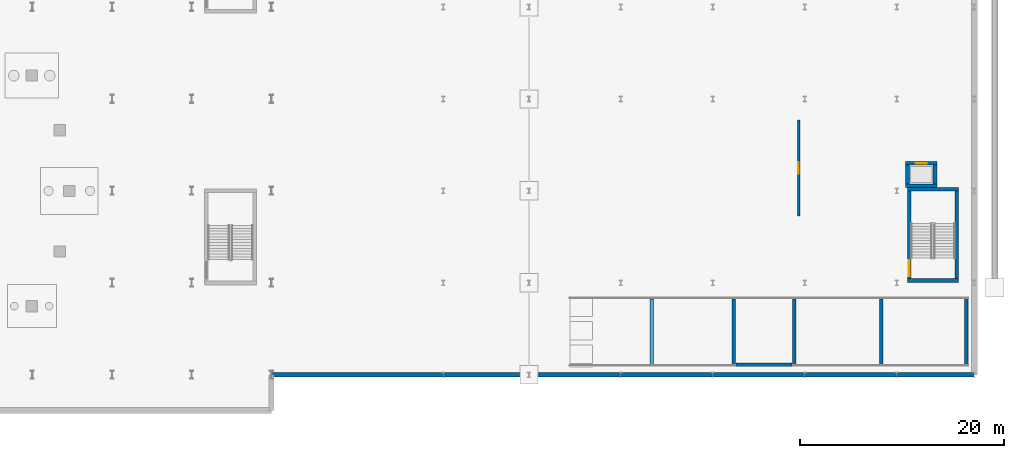
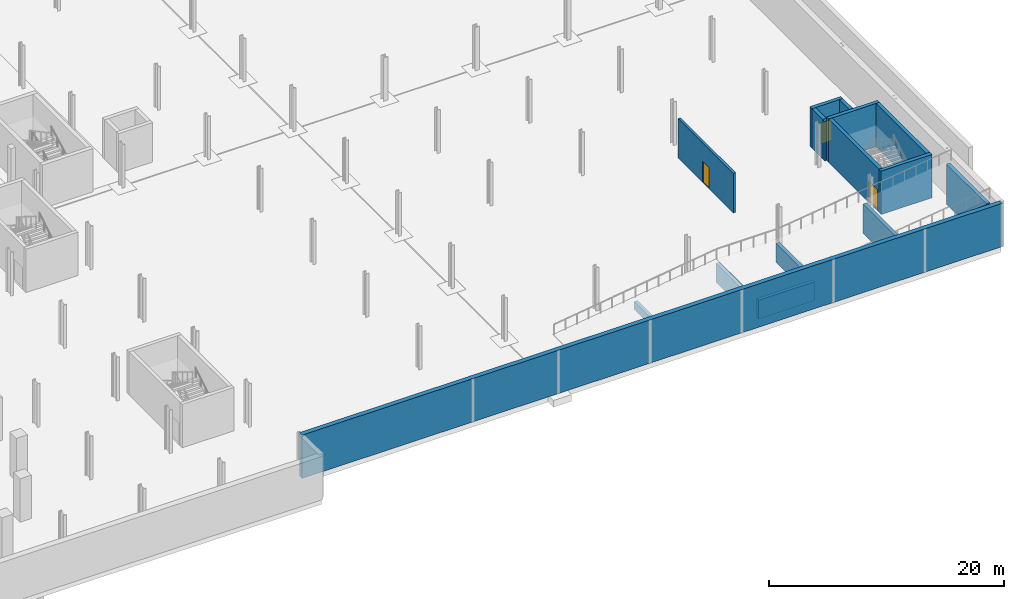
# One storey, part 31 of 45: 16 walls, 3 doors, 3 openings.
"""IFC4 building model written with IfcOpenShell, lengths in metres."""

from ifc_helpers import new_model, si_unit, direction, frame, frame_2d, origin, place, context, subcontext, project, spatial, rectangle, extrude, material, layer, layer_set, type_object, element, fill, save


model = new_model("IFC4")

# Units and contexts
model_context = context("Model", 3, precision=1e-05, world=origin(), true_north=direction((0.0, 1.0)))
body_context = subcontext(model_context, "Body", "Model", "MODEL_VIEW")
ifc_project = project(units=[si_unit("LENGTHUNIT", "METRE"), si_unit("AREAUNIT", "SQUARE_METRE"), si_unit("VOLUMEUNIT", "CUBIC_METRE"), si_unit("PLANEANGLEUNIT", "RADIAN"), si_unit("MASSUNIT", "GRAM", prefix="KILO")], contexts=[model_context])

# Site, building, storey
site_placement = place(None, origin())
site = spatial("IfcSite", under=ifc_project, at=site_placement, CompositionType="ELEMENT")
building_placement = place(site_placement, origin())
building = spatial("IfcBuilding", under=site, at=building_placement, Name="Sefraquen Railside Congress Hotel", CompositionType="ELEMENT")
storey_placement = place(building_placement, frame((0.0, 0.0, -4.5)))
storey = spatial("IfcBuildingStorey", under=building, at=storey_placement, Name="B01", CompositionType="ELEMENT", Elevation=-4.5)

# Walls
ifc_material_1 = material(Name="Concrete C50/60", Category="concrete")
ifc_layer_1 = layer(ifc_material_1, 0.35009765625)
ifc_layer_set_1 = layer_set([ifc_layer_1], Name="Concrete C50/60")
wall_type_1 = type_object("IfcWallType", Name="TW-CW-350", PredefinedType="SHEAR", material=ifc_layer_set_1)
for number, where, z_axis, x_axis, name in (
    (1, (165.449951171875, 27.155029296875, 0.0), (0.0, 0.0, 1.0), (1.0, 0.0, 0.0), "Core shear wall ST-S01 N B01"),
    (2, (165.449951171875, 18.22509765625, 0.0), (0.0, 0.0, 1.0), (1.0, 0.0, 0.0), "Core shear wall ST-S01 S B01"),
):
    element("IfcWall", number, at=place(storey_placement, frame(where, z_axis=z_axis, x_axis=x_axis)), inside=storey, type_object=wall_type_1, Name=name, PredefinedType="SHEAR", context=body_context, shape_type="SweptSolid", body=[
        extrude(rectangle(XDim=5.0, YDim=0.35009765625, at=frame_2d((2.5, 0.0))), origin(), (0.0, 0.0, 1.0), 4.5),
    ])

# Wall, opening, door
wall_1_placement = place(storey_placement, frame((165.625, 18.39990234375, 0.0), z_axis=(0.0, 0.0, 1.0), x_axis=(0.0, 1.0, 0.0)))
wall_1 = element("IfcWall", 3, at=wall_1_placement, inside=storey, type_object=wall_type_1, Name="Core shear wall ST-S01 W B01", PredefinedType="SHEAR", context=body_context, shape_type="SweptSolid", body=[
    extrude(rectangle(XDim=8.580078125, YDim=0.35009765625, at=frame_2d((4.2900390625, 0.0))), origin(), (0.0, 0.0, 1.0), 4.5),
])
opening_1_placement = place(wall_1_placement, frame((0.22509765625, 0.0, 0.0)))
opening_1 = element("IfcOpeningElement", 4, at=opening_1_placement, cuts=wall_1, Name="Opening FD-02", PredefinedType="OPENING", context=body_context, shape_type="SweptSolid", body=[
    extrude(rectangle(XDim=1.60009765625, YDim=2.199951171875, at=frame_2d((0.800048828125, 1.10009765625))), frame((0.0, 0.18505859375, 0.0), z_axis=(0.0, -1.0, 0.0), x_axis=(1.0, 0.0, 0.0)), (0.0, 0.0, 1.0), 0.3701171875),
])
ifc_material_2 = material(Name="Fire-rated steel", Category="steel")
door_type_1 = type_object("IfcDoorType", Name="TD-FD-02", OperationType="NOTDEFINED", PredefinedType="DOOR", material=ifc_material_2)
door_1_placement = place(opening_1_placement, origin())
door_1 = element("IfcDoor", 5, at=door_1_placement, inside=storey, type_object=door_type_1, Name="Pressurized stair ST-S01 fire door B01", OperationType="SINGLE_SWING_LEFT", OverallHeight=2.199951171875, OverallWidth=1.60009765625, PredefinedType="DOOR", context=body_context, shape_type="SweptSolid", body=[
    extrude(rectangle(XDim=1.60009765625, YDim=2.199951171875, at=frame_2d((0.800048828125, 1.10009765625))), frame((0.0, 0.02490234375, 0.0), z_axis=(0.0, -1.0, 0.0), x_axis=(1.0, 0.0, 0.0)), (0.0, 0.0, 1.0), 0.050048828125),
])
fill(opening_1, door_1)

# Walls
wall_2_placement = place(storey_placement, frame((170.27490234375, 18.39990234375, 0.0), z_axis=(0.0, 0.0, 1.0), x_axis=(0.0, 1.0, 0.0)))
element("IfcWall", 6, at=wall_2_placement, inside=storey, type_object=wall_type_1, Name="Core shear wall ST-S01 E B01", PredefinedType="SHEAR", context=body_context, shape_type="SweptSolid", body=[
    extrude(rectangle(XDim=8.580078125, YDim=0.35009765625, at=frame_2d((4.2900390625, 0.0))), origin(), (0.0, 0.0, 1.0), 4.5),
])
wall_3_placement = place(storey_placement, frame((140.39990234375, 10.0, 0.0), z_axis=(0.0, 0.0, 1.0), x_axis=(0.0, 1.0, 0.0)))
element("IfcWall", 7, at=wall_3_placement, inside=storey, type_object=wall_type_1, Name="Vehicle ramp lower flight intermediate bearing wall", PredefinedType="SHEAR", context=body_context, shape_type="SweptSolid", body=[
    extrude(rectangle(XDim=6.39990234375, YDim=0.35009765625, at=frame_2d((3.199951171875, 0.0))), origin(), (0.0, 0.0, 1.0), 0.800048828125),
])
for number, where, z_axis, x_axis, name in (
    (8, (148.449951171875, 10.0, 0.0), (0.0, 0.0, 1.0), (0.0, 1.0, 0.0), "Vehicle ramp mid-landing support wall W"),
    (9, (154.35009765625, 10.0, 0.0), (0.0, 0.0, 1.0), (0.0, 1.0, 0.0), "Vehicle ramp mid-landing support wall E"),
):
    element("IfcWall", number, at=place(storey_placement, frame(where, z_axis=z_axis, x_axis=x_axis)), inside=storey, type_object=wall_type_1, Name=name, PredefinedType="SHEAR", context=body_context, shape_type="SweptSolid", body=[
        extrude(rectangle(XDim=6.39990234375, YDim=0.35009765625, at=frame_2d((3.199951171875, 0.0))), origin(), (0.0, 0.0, 1.0), 1.949951171875),
    ])
wall_4_placement = place(storey_placement, frame((148.64990234375, 10.0, 0.0), z_axis=(0.0, 0.0, 1.0), x_axis=(1.0, 0.0, 0.0)))
element("IfcWall", 10, at=wall_4_placement, inside=storey, type_object=wall_type_1, Name="Vehicle ramp mid-landing support wall S", PredefinedType="SHEAR", context=body_context, shape_type="SweptSolid", body=[
    extrude(rectangle(XDim=5.5, YDim=0.35009765625, at=frame_2d((2.75, 0.0))), origin(), (0.0, 0.0, 1.0), 1.949951171875),
])
wall_5_placement = place(storey_placement, frame((162.89990234375, 10.0, 0.0), z_axis=(0.0, 0.0, 1.0), x_axis=(0.0, 1.0, 0.0)))
element("IfcWall", 11, at=wall_5_placement, inside=storey, type_object=wall_type_1, Name="Vehicle ramp upper flight intermediate bearing wall", PredefinedType="SHEAR", context=body_context, shape_type="SweptSolid", body=[
    extrude(rectangle(XDim=6.39990234375, YDim=0.35009765625, at=frame_2d((3.199951171875, 0.0))), origin(), (0.0, 0.0, 1.0), 3.050048828125),
])
wall_6_placement = place(storey_placement, frame((171.199951171875, 9.800048828125, 0.0), z_axis=(0.0, 0.0, 1.0), x_axis=(0.0, 1.0, 0.0)))
element("IfcWall", 12, at=wall_6_placement, inside=storey, type_object=wall_type_1, Name="Vehicle ramp L00 arrival bearing wall", PredefinedType="SHEAR", context=body_context, shape_type="SweptSolid", body=[
    extrude(rectangle(XDim=6.800048828125, YDim=0.35009765625, at=frame_2d((3.39990234375, 0.0))), origin(), (0.0, 0.0, 1.0), 4.179931640625),
])

# Wall, opening, door
wall_7_placement = place(storey_placement, frame((165.280029296875, 29.695068359375, 0.0), z_axis=(0.0, 0.0, 1.0), x_axis=(1.0, 0.0, 0.0)))
wall_7 = element("IfcWall", 13, at=wall_7_placement, inside=storey, type_object=wall_type_1, Name="Lift PL-09 shaft wall N B01", PredefinedType="SHEAR", context=body_context, shape_type="SweptSolid", body=[
    extrude(rectangle(XDim=3.0400390625, YDim=0.35009765625, at=frame_2d((1.52001953125, 0.0))), origin(), (0.0, 0.0, 1.0), 4.10009765625),
])
opening_2_placement = place(wall_7_placement, frame((0.969970703125, 0.0, 0.0)))
opening_2 = element("IfcOpeningElement", 14, at=opening_2_placement, cuts=wall_7, Name="Opening LD-01", PredefinedType="OPENING", context=body_context, shape_type="SweptSolid", body=[
    extrude(rectangle(XDim=1.10009765625, YDim=2.199951171875, at=frame_2d((0.550048828125, 1.10009765625))), frame((0.0, 0.18505859375, 0.0), z_axis=(0.0, -1.0, 0.0), x_axis=(1.0, 0.0, 0.0)), (0.0, 0.0, 1.0), 0.3701171875),
])
ifc_material_3 = material(Name="Brushed bronze stainless steel", Category="steel")
door_type_2 = type_object("IfcDoorType", Name="TD-LD-01", OperationType="NOTDEFINED", PredefinedType="DOOR", material=ifc_material_3)
door_2_placement = place(opening_2_placement, origin())
door_2 = element("IfcDoor", 15, at=door_2_placement, inside=storey, type_object=door_type_2, Name="Lift landing door PL-09 B01", OperationType="SLIDING_TO_LEFT", OverallHeight=2.199951171875, OverallWidth=1.10009765625, PredefinedType="DOOR", context=body_context, shape_type="SweptSolid", body=[
    extrude(rectangle(XDim=1.10009765625, YDim=2.199951171875, at=frame_2d((0.550048828125, 1.10009765625))), frame((0.0, 0.02490234375, 0.0), z_axis=(0.0, -1.0, 0.0), x_axis=(1.0, 0.0, 0.0)), (0.0, 0.0, 1.0), 0.050048828125),
])
fill(opening_2, door_2)

# Walls
wall_8_placement = place(storey_placement, frame((165.280029296875, 27.5048828125, 0.0), z_axis=(0.0, 0.0, 1.0), x_axis=(1.0, 0.0, 0.0)))
element("IfcWall", 16, at=wall_8_placement, inside=storey, type_object=wall_type_1, Name="Lift PL-09 shaft wall S B01", PredefinedType="SHEAR", context=body_context, shape_type="SweptSolid", body=[
    extrude(rectangle(XDim=3.0400390625, YDim=0.35009765625, at=frame_2d((1.52001953125, 0.0))), origin(), (0.0, 0.0, 1.0), 4.10009765625),
])
for number, where, z_axis, x_axis, name in (
    (17, (165.455078125, 27.679931640625, 0.0), (0.0, 0.0, 1.0), (0.0, 1.0, 0.0), "Lift PL-09 shaft wall W B01"),
    (18, (168.14501953125, 27.679931640625, 0.0), (0.0, 0.0, 1.0), (0.0, 1.0, 0.0), "Lift PL-09 shaft wall E B01"),
):
    element("IfcWall", number, at=place(storey_placement, frame(where, z_axis=z_axis, x_axis=x_axis)), inside=storey, type_object=wall_type_1, Name=name, PredefinedType="SHEAR", context=body_context, shape_type="SweptSolid", body=[
        extrude(rectangle(XDim=1.840087890625, YDim=0.35009765625, at=frame_2d((0.919921875, 0.0))), origin(), (0.0, 0.0, 1.0), 4.10009765625),
    ])

# Wall, opening, door
ifc_material_4 = material(Name="Concrete C40/50", Category="concrete")
ifc_layer_2 = layer(ifc_material_4, 0.239990234375)
ifc_layer_set_2 = layer_set([ifc_layer_2], Name="Concrete C40/50")
wall_type_2 = type_object("IfcWallType", Name="TW-FW-240", PredefinedType="STANDARD", material=ifc_layer_set_2)
wall_9_placement = place(storey_placement, frame((154.800048828125, 24.550048828125, 0.0), z_axis=(0.0, 0.0, 1.0), x_axis=(0.0, 1.0, 0.0)))
wall_9 = element("IfcWall", 19, at=wall_9_placement, inside=storey, type_object=wall_type_2, Name="Thermal Spa Filtration and Calorifier Plant Room enclosure wall", PredefinedType="STANDARD", context=body_context, shape_type="SweptSolid", body=[
    extrude(rectangle(XDim=9.39990234375, YDim=0.239990234375, at=frame_2d((4.699951171875, 0.0))), origin(), (0.0, 0.0, 1.0), 4.10009765625),
])
opening_3_placement = place(wall_9_placement, frame((4.14990234375, 0.0, 0.0)))
opening_3 = element("IfcOpeningElement", 20, at=opening_3_placement, cuts=wall_9, Name="Opening FD-04", PredefinedType="OPENING", context=body_context, shape_type="SweptSolid", body=[
    extrude(rectangle(XDim=1.10009765625, YDim=2.199951171875, at=frame_2d((0.550048828125, 1.10009765625))), frame((0.0, 0.1298828125, 0.0), z_axis=(0.0, -1.0, 0.0), x_axis=(1.0, 0.0, 0.0)), (0.0, 0.0, 1.0), 0.260009765625),
])
door_type_3 = type_object("IfcDoorType", Name="TD-FD-04", OperationType="NOTDEFINED", PredefinedType="DOOR", material=ifc_material_2)
door_3_placement = place(opening_3_placement, origin())
door_3 = element("IfcDoor", 21, at=door_3_placement, inside=storey, type_object=door_type_3, Name="Thermal Spa Filtration and Calorifier Plant Room entrance door", OperationType="SINGLE_SWING_RIGHT", OverallHeight=2.199951171875, OverallWidth=1.10009765625, PredefinedType="DOOR", context=body_context, shape_type="SweptSolid", body=[
    extrude(rectangle(XDim=1.10009765625, YDim=2.199951171875, at=frame_2d((0.550048828125, 1.10009765625))), frame((0.0, 0.02490234375, 0.0), z_axis=(0.0, -1.0, 0.0), x_axis=(1.0, 0.0, 0.0)), (0.0, 0.0, 1.0), 0.050048828125),
])
fill(opening_3, door_3)

# Wall
ifc_layer_3 = layer(ifc_material_4, 0.449951171875)
ifc_layer_set_3 = layer_set([ifc_layer_3], Name="Concrete C40/50")
wall_type_3 = type_object("IfcWallType", Name="TW-RW-450", PredefinedType="SOLIDWALL", material=ifc_layer_set_3)
wall_10_placement = place(storey_placement, frame((103.199951171875, 9.0, 0.0), z_axis=(0.0, 0.0, 1.0), x_axis=(1.0, 0.0, 0.0)))
element("IfcWall", 22, at=wall_10_placement, inside=storey, type_object=wall_type_3, Name="Basement retaining wall W-B01-RW-05", PredefinedType="SOLIDWALL", context=body_context, shape_type="SweptSolid", body=[
    extrude(rectangle(XDim=68.800048828125, YDim=0.449951171875, at=frame_2d((34.39990234375, 0.0))), origin(), (0.0, 0.0, 1.0), 4.5),
])

save(model, "model.ifc")
